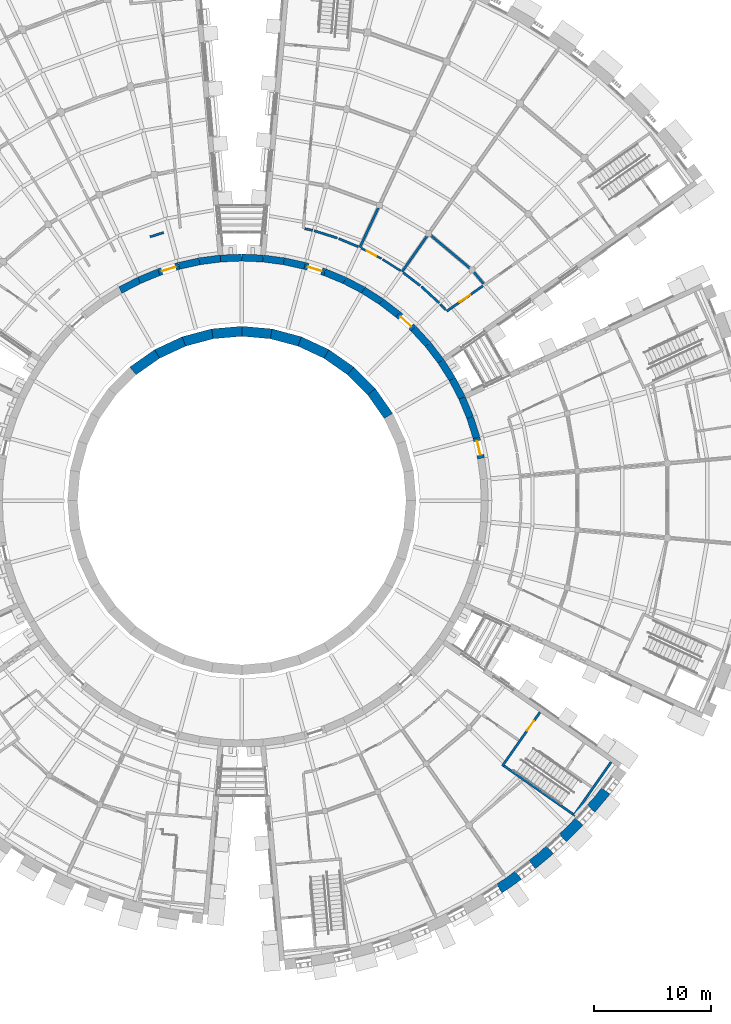
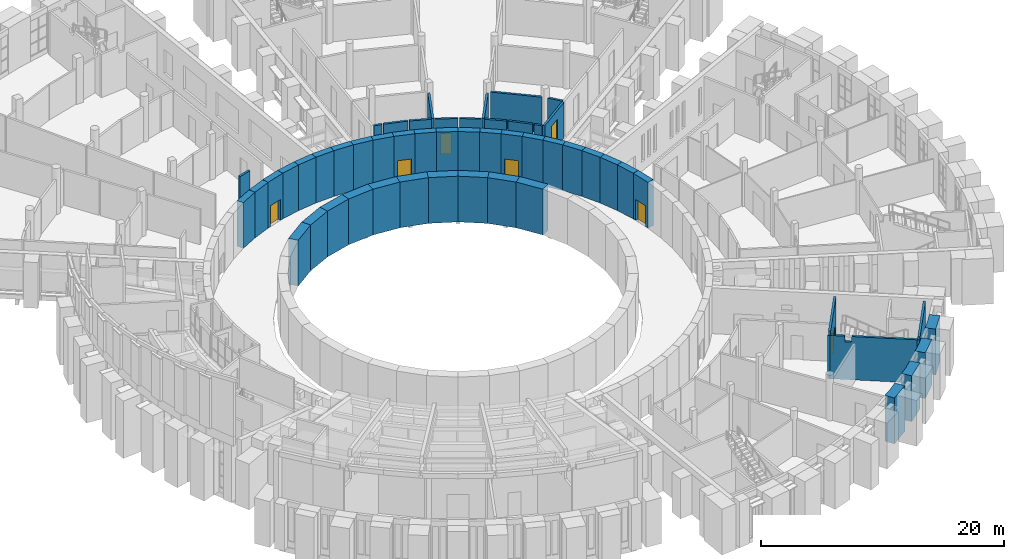
# One storey, part 43 of 66: 53 walls, 7 doors, 7 openings.
"""IFC4 building model written with IfcOpenShell, lengths in metres."""

from ifc_helpers import new_model, si_unit, direction, frame, frame_2d, origin, place, context, subcontext, project, spatial, polyline, rectangle, outline, extrude, material, layer, layer_set, type_object, element, fill, save


model = new_model("IFC4")

# Units and contexts
model_context = context("Model", 3, precision=1e-05, world=origin(), true_north=direction((0.0, 1.0)))
body_context = subcontext(model_context, "Body", "Model", "MODEL_VIEW")
ifc_project = project(units=[si_unit("LENGTHUNIT", "METRE"), si_unit("AREAUNIT", "SQUARE_METRE"), si_unit("VOLUMEUNIT", "CUBIC_METRE"), si_unit("PLANEANGLEUNIT", "RADIAN"), si_unit("MASSUNIT", "GRAM", prefix="KILO")], contexts=[model_context])

# Site, building, storey
site_placement = place(None, origin())
site = spatial("IfcSite", under=ifc_project, at=site_placement, CompositionType="ELEMENT")
building_placement = place(site_placement, origin())
building = spatial("IfcBuilding", under=site, at=building_placement, Name="Volute Hill Aquarium", CompositionType="ELEMENT")
storey_placement = place(building_placement, frame((0.0, 0.0, 4.60009765625)))
storey = spatial("IfcBuildingStorey", under=building, at=storey_placement, Name="L02", CompositionType="ELEMENT", Elevation=4.60009765625)

# Wall, opening, door
ifc_material_1 = material(Name="Concrete C30/37", Category="concrete")
ifc_layer_1 = layer(ifc_material_1, 0.199951171875)
ifc_layer_set_1 = layer_set([ifc_layer_1], Name="Core wall 200 REI 60")
wall_type_1 = type_object("IfcWallType", Name="Core wall 200 REI 60", PredefinedType="SHEAR", material=ifc_layer_set_1)
wall_1_placement = place(storey_placement, frame((25.40185546875, -18.03076171875, 0.0), z_axis=(0.0, 0.0, 1.0), x_axis=(-0.573599855614, -0.819135645446, 0.0)))
wall_1 = element("IfcWall", 1, at=wall_1_placement, inside=storey, type_object=wall_type_1, Name="wc/S3-B/L02/in", PredefinedType="SHEAR", context=body_context, shape_type="SweptSolid", body=[
    extrude(outline(polyline([(0.0, 0.0), (5.60009765625, 0.0), (5.60009765625, 4.349853515625), (5.574951171875, 4.349853515625), (5.52490234375, 3.77978515625), (5.02490234375, 3.77978515625), (4.97509765625, 4.349853515625), (0.0, 4.349853515625), (0.0, 0.0)])), frame((0.0, 0.10009765625, 0.0), z_axis=(0.0, -1.0, 0.0), x_axis=(1.0, 0.0, 0.0)), (0.0, 0.0, 1.0), 0.199951171875),
])
opening_1_placement = place(wall_1_placement, frame((0.89990234375, 0.0, 0.0)))
opening_1 = element("IfcOpeningElement", 2, at=opening_1_placement, cuts=wall_1, Name="Opening D3.02.BS", PredefinedType="OPENING", context=body_context, shape_type="SweptSolid", body=[
    extrude(rectangle(XDim=1.0, YDim=2.10009765625, at=frame_2d((0.5, 1.050048828125))), frame((0.0, 0.10986328125, 0.0), z_axis=(0.0, -1.0, 0.0), x_axis=(1.0, 0.0, 0.0)), (0.0, 0.0, 1.0), 0.219970703125),
])
ifc_material_2 = material(Name="Timber, fire-rated", Category="wood")
door_type_1 = type_object("IfcDoorType", Name="Door 1000 x 2100 single EI1 30", OperationType="SINGLE_SWING_LEFT", PredefinedType="DOOR", material=ifc_material_2)
door_1_placement = place(opening_1_placement, origin())
door_1 = element("IfcDoor", 3, at=door_1_placement, inside=storey, type_object=door_type_1, Name="d/S3-B/L02/st", OperationType="SINGLE_SWING_RIGHT", OverallHeight=2.10009765625, OverallWidth=1.0, PredefinedType="DOOR", context=body_context, shape_type="SweptSolid", body=[
    extrude(rectangle(XDim=1.0, YDim=2.10009765625, at=frame_2d((0.5, 1.050048828125))), frame((0.0, 0.02490234375, 0.0), z_axis=(0.0, -1.0, 0.0), x_axis=(1.0, 0.0, 0.0)), (0.0, 0.0, 1.0), 0.050048828125),
])
fill(opening_1, door_1)

# Walls
wall_2_placement = place(storey_placement, frame((22.3291015625, -22.593505859375, 0.0), z_axis=(0.0, 0.0, 1.0), x_axis=(0.819161821637, -0.573562472597, 0.0)))
element("IfcWall", 4, at=wall_2_placement, inside=storey, type_object=wall_type_1, Name="wc/S3-B/L02/side", PredefinedType="SHEAR", context=body_context, shape_type="SweptSolid", body=[
    extrude(outline(polyline([(0.0, 0.0), (7.199951171875, 0.0), (7.199951171875, 4.349853515625), (1.794189453125, 4.349853515625), (1.744140625, 3.77978515625), (1.244140625, 3.77978515625), (1.194091796875, 4.349853515625), (0.0, 4.349853515625), (0.0, 0.0)])), frame((0.0, 0.10009765625, 0.0), z_axis=(0.0, -1.0, 0.0), x_axis=(1.0, 0.0, 0.0)), (0.0, 0.0, 1.0), 0.199951171875),
])
wall_3_placement = place(storey_placement, frame((31.463623046875, -22.275146484375, 0.0), z_axis=(0.0, 0.0, 1.0), x_axis=(-0.573550118428, -0.819170471667, 0.0)))
element("IfcWall", 5, at=wall_3_placement, inside=storey, type_object=wall_type_1, Name="wc/S3-B/L02/out", PredefinedType="SHEAR", context=body_context, shape_type="SweptSolid", body=[
    extrude(outline(polyline([(0.0, 0.0), (5.60009765625, 0.0), (5.60009765625, 4.349853515625), (5.550048828125, 3.829833984375), (5.24462890625, 3.829833984375), (5.194580078125, 4.349853515625), (0.0, 4.349853515625), (0.0, 0.0)])), frame((0.0, 0.10009765625, 0.0), z_axis=(0.0, -1.0, 0.0), x_axis=(1.0, 0.0, 0.0)), (0.0, 0.0, 1.0), 0.199951171875),
])

# Wall, opening, door
ifc_material_3 = material(Name="Gypsum board on steel studs", Category="steel")
ifc_layer_2 = layer(ifc_material_3, 0.175048828125)
ifc_layer_set_2 = layer_set([ifc_layer_2], Name="Corridor partition 175 EI 60")
wall_type_2 = type_object("IfcWallType", Name="Corridor partition 175 EI 60", PredefinedType="PARTITIONING", material=ifc_layer_set_2)
wall_4_placement = place(storey_placement, frame((10.173583984375, 21.510009765625, 0.0), z_axis=(0.0, 0.0, 1.0), x_axis=(0.887007216852, -0.461755560067, 0.0)))
wall_4 = element("IfcWall", 6, at=wall_4_placement, inside=storey, type_object=wall_type_2, Name="pw/S5/L02/026", PredefinedType="PARTITIONING", context=body_context, shape_type="SweptSolid", body=[
    extrude(rectangle(XDim=1.9462890625, YDim=0.175048828125, at=frame_2d((0.97314453125, 0.0))), origin(), (0.0, 0.0, 1.0), 3.58984375),
])
opening_2_placement = place(wall_4_placement, frame((0.523193359375, 0.0, 0.0)))
opening_2 = element("IfcOpeningElement", 7, at=opening_2_placement, cuts=wall_4, Name="Opening D5.02.01", PredefinedType="OPENING", context=body_context, shape_type="SweptSolid", body=[
    extrude(rectangle(XDim=0.89990234375, YDim=2.10009765625, at=frame_2d((0.449951171875, 1.050048828125))), frame((0.0, 0.097412109375, 0.0), z_axis=(0.0, -1.0, 0.0), x_axis=(1.0, 0.0, 0.0)), (0.0, 0.0, 1.0), 0.195068359375),
])
ifc_material_4 = material(Name="Timber, fire-rated", Category="wood")
door_type_2 = type_object("IfcDoorType", Name="Door 900 x 2100 wc single EI1 30", OperationType="SINGLE_SWING_LEFT", PredefinedType="DOOR", material=ifc_material_4)
door_2_placement = place(opening_2_placement, origin())
door_2 = element("IfcDoor", 8, at=door_2_placement, inside=storey, type_object=door_type_2, Name="d/S5/L02/01", OperationType="SINGLE_SWING_LEFT", OverallHeight=2.10009765625, OverallWidth=0.89990234375, PredefinedType="DOOR", context=body_context, shape_type="SweptSolid", body=[
    extrude(rectangle(XDim=0.89990234375, YDim=2.10009765625, at=frame_2d((0.449951171875, 1.050048828125))), frame((0.0, 0.02490234375, 0.0), z_axis=(0.0, -1.0, 0.0), x_axis=(1.0, 0.0, 0.0)), (0.0, 0.0, 1.0), 0.050048828125),
])
fill(opening_2, door_2)

# Wall
wall_5_placement = place(storey_placement, frame((11.9990234375, 20.54833984375, 0.0), z_axis=(0.0, 0.0, 1.0), x_axis=(0.843392045151, -0.537298667574, 0.0)))
element("IfcWall", 9, at=wall_5_placement, inside=storey, type_object=wall_type_2, Name="pw/S5/L02/028", PredefinedType="PARTITIONING", context=body_context, shape_type="SweptSolid", body=[
    extrude(rectangle(XDim=1.828857421875, YDim=0.175048828125, at=frame_2d((0.91455078125, 0.0))), origin(), (0.0, 0.0, 1.0), 3.58984375),
])

# Wall, opening, door
ifc_material_5 = material(Name="Concrete C35/45", Category="concrete")
ifc_layer_3 = layer(ifc_material_5, 0.60009765625)
ifc_layer_set_3 = layer_set([ifc_layer_3], Name="Drum wall C35/45 600")
wall_type_3 = type_object("IfcWallType", Name="Drum wall C35/45 600", PredefinedType="SHEAR", material=ifc_layer_set_3)
wall_6_placement = place(storey_placement, frame((20.385498046875, 3.594482421875, 0.0), z_axis=(0.0, 0.0, 1.0), x_axis=(-0.216429453554, 0.976298259567, 0.0)))
wall_6 = element("IfcWall", 10, at=wall_6_placement, inside=storey, type_object=wall_type_3, Name="sw/DR/L02/2", PredefinedType="SHEAR", context=body_context, shape_type="SweptSolid", body=[
    extrude(rectangle(XDim=1.805908203125, YDim=0.60009765625, at=frame_2d((0.90283203125, 0.0))), origin(), (0.0, 0.0, 1.0), 4.599853515625),
])
opening_3_placement = place(wall_6_placement, frame((0.302978515625, 0.0, 0.0)))
opening_3 = element("IfcOpeningElement", 11, at=opening_3_placement, cuts=wall_6, Name="Opening D4.02.R2", PredefinedType="OPENING", context=body_context, shape_type="SweptSolid", body=[
    extrude(rectangle(XDim=1.199951171875, YDim=2.10009765625, at=frame_2d((0.60009765625, 1.050048828125))), frame((0.0, 0.31005859375, 0.0), z_axis=(0.0, -1.0, 0.0), x_axis=(1.0, 0.0, 0.0)), (0.0, 0.0, 1.0), 0.6201171875),
])
ifc_material_6 = material(Name="Timber", Category="wood")
door_type_3 = type_object("IfcDoorType", Name="Door 1200 x 2100 drum double", OperationType="DOUBLE_DOOR_SINGLE_SWING", PredefinedType="DOOR", material=ifc_material_6)
door_3_placement = place(opening_3_placement, origin())
door_3 = element("IfcDoor", 12, at=door_3_placement, inside=storey, type_object=door_type_3, Name="d/S4/L02/dr2", OperationType="SINGLE_SWING_LEFT", OverallHeight=2.10009765625, OverallWidth=1.199951171875, PredefinedType="DOOR", context=body_context, shape_type="SweptSolid", body=[
    extrude(rectangle(XDim=1.199951171875, YDim=2.10009765625, at=frame_2d((0.60009765625, 1.050048828125))), frame((0.0, 0.02490234375, 0.0), z_axis=(0.0, -1.0, 0.0), x_axis=(1.0, 0.0, 0.0)), (0.0, 0.0, 1.0), 0.050048828125),
])
fill(opening_3, door_3)

# Walls
wall_7_placement = place(storey_placement, frame((19.99462890625, 5.357666015625, 0.0), z_axis=(0.0, 0.0, 1.0), x_axis=(-0.300691330354, 0.953721512733, 0.0)))
element("IfcWall", 13, at=wall_7_placement, inside=storey, type_object=wall_type_3, Name="sw/DR/L02/3", PredefinedType="SHEAR", context=body_context, shape_type="SweptSolid", body=[
    extrude(rectangle(XDim=1.8056640625, YDim=0.60009765625, at=frame_2d((0.90283203125, 0.0))), origin(), (0.0, 0.0, 1.0), 4.599853515625),
])
for number, where, z_axis, x_axis, name in (
    (14, (19.45166015625, 7.079833984375, 0.0), (0.0, 0.0, 1.0), (-0.382713954298, 0.923866889322, 0.0), "sw/DR/L02/4"),
    (15, (18.760498046875, 8.748291015625, 0.0), (0.0, 0.0, 1.0), (-0.461701764231, 0.887035219654, 0.0), "sw/DR/L02/5"),
    (16, (17.9267578125, 10.35009765625, 0.0), (0.0, 0.0, 1.0), (-0.537391510251, 0.843332890803, 0.0), "sw/DR/L02/6"),
):
    element("IfcWall", number, at=place(storey_placement, frame(where, z_axis=z_axis, x_axis=x_axis)), inside=storey, type_object=wall_type_3, Name=name, PredefinedType="SHEAR", context=body_context, shape_type="SweptSolid", body=[
        extrude(rectangle(XDim=1.805908203125, YDim=0.60009765625, at=frame_2d((0.90283203125, 0.0))), origin(), (0.0, 0.0, 1.0), 4.599853515625),
    ])
wall_8_placement = place(storey_placement, frame((16.956298828125, 11.873046875, 0.0), z_axis=(0.0, 0.0, 1.0), x_axis=(-0.608704004289, 0.793397400526, 0.0)))
element("IfcWall", 17, at=wall_8_placement, inside=storey, type_object=wall_type_3, Name="sw/DR/L02/7", PredefinedType="SHEAR", context=body_context, shape_type="SweptSolid", body=[
    extrude(rectangle(XDim=1.8056640625, YDim=0.60009765625, at=frame_2d((0.90283203125, 0.0))), origin(), (0.0, 0.0, 1.0), 4.599853515625),
])
wall_9_placement = place(storey_placement, frame((15.857177734375, 13.3056640625, 0.0), z_axis=(0.0, 0.0, 1.0), x_axis=(-0.675540954152, 0.737322466268, 0.0)))
element("IfcWall", 18, at=wall_9_placement, inside=storey, type_object=wall_type_3, Name="sw/DR/L02/8", PredefinedType="SHEAR", context=body_context, shape_type="SweptSolid", body=[
    extrude(rectangle(XDim=1.805908203125, YDim=0.60009765625, at=frame_2d((0.90283203125, 0.0))), origin(), (0.0, 0.0, 1.0), 4.599853515625),
])

# Wall, opening, door
wall_10_placement = place(storey_placement, frame((14.63720703125, 14.63720703125, 0.0), z_axis=(0.0, 0.0, 1.0), x_axis=(-0.737322466268, 0.675540954152, 0.0)))
wall_10 = element("IfcWall", 19, at=wall_10_placement, inside=storey, type_object=wall_type_3, Name="sw/DR/L02/9", PredefinedType="SHEAR", context=body_context, shape_type="SweptSolid", body=[
    extrude(rectangle(XDim=1.805908203125, YDim=0.60009765625, at=frame_2d((0.90283203125, 0.0))), origin(), (0.0, 0.0, 1.0), 4.599853515625),
])
opening_4_placement = place(wall_10_placement, frame((0.302978515625, 0.0, 0.0)))
opening_4 = element("IfcOpeningElement", 20, at=opening_4_placement, cuts=wall_10, Name="Opening D5.02.R1", PredefinedType="OPENING", context=body_context, shape_type="SweptSolid", body=[
    extrude(rectangle(XDim=1.199951171875, YDim=2.10009765625, at=frame_2d((0.60009765625, 1.050048828125))), frame((0.0, 0.31005859375, 0.0), z_axis=(0.0, -1.0, 0.0), x_axis=(1.0, 0.0, 0.0)), (0.0, 0.0, 1.0), 0.6201171875),
])
door_4_placement = place(opening_4_placement, origin())
door_4 = element("IfcDoor", 21, at=door_4_placement, inside=storey, type_object=door_type_3, Name="d/S5/L02/dr1", OperationType="SINGLE_SWING_LEFT", OverallHeight=2.10009765625, OverallWidth=1.199951171875, PredefinedType="DOOR", context=body_context, shape_type="SweptSolid", body=[
    extrude(rectangle(XDim=1.199951171875, YDim=2.10009765625, at=frame_2d((0.60009765625, 1.050048828125))), frame((0.0, 0.02490234375, 0.0), z_axis=(0.0, -1.0, 0.0), x_axis=(1.0, 0.0, 0.0)), (0.0, 0.0, 1.0), 0.050048828125),
])
fill(opening_4, door_4)

# Walls
wall_11_placement = place(storey_placement, frame((13.3056640625, 15.857177734375, 0.0), z_axis=(0.0, 0.0, 1.0), x_axis=(-0.793397400526, 0.608704004289, 0.0)))
element("IfcWall", 22, at=wall_11_placement, inside=storey, type_object=wall_type_3, Name="sw/DR/L02/10", PredefinedType="SHEAR", context=body_context, shape_type="SweptSolid", body=[
    extrude(rectangle(XDim=1.8056640625, YDim=0.60009765625, at=frame_2d((0.90283203125, 0.0))), origin(), (0.0, 0.0, 1.0), 4.599853515625),
])
for number, where, z_axis, x_axis, name in (
    (23, (11.873046875, 16.956298828125, 0.0), (0.0, 0.0, 1.0), (-0.843332890803, 0.537391510251, 0.0), "sw/DR/L02/11"),
    (24, (10.35009765625, 17.9267578125, 0.0), (0.0, 0.0, 1.0), (-0.887035219654, 0.461701764231, 0.0), "sw/DR/L02/12"),
    (25, (8.748291015625, 18.760498046875, 0.0), (0.0, 0.0, 1.0), (-0.923866889322, 0.382713954298, 0.0), "sw/DR/L02/13"),
):
    element("IfcWall", number, at=place(storey_placement, frame(where, z_axis=z_axis, x_axis=x_axis)), inside=storey, type_object=wall_type_3, Name=name, PredefinedType="SHEAR", context=body_context, shape_type="SweptSolid", body=[
        extrude(rectangle(XDim=1.805908203125, YDim=0.60009765625, at=frame_2d((0.90283203125, 0.0))), origin(), (0.0, 0.0, 1.0), 4.599853515625),
    ])

# Wall, opening, door
wall_12_placement = place(storey_placement, frame((7.079833984375, 19.45166015625, 0.0), z_axis=(0.0, 0.0, 1.0), x_axis=(-0.953721512733, 0.300691330354, 0.0)))
wall_12 = element("IfcWall", 26, at=wall_12_placement, inside=storey, type_object=wall_type_3, Name="sw/DR/L02/14", PredefinedType="SHEAR", context=body_context, shape_type="SweptSolid", body=[
    extrude(rectangle(XDim=1.8056640625, YDim=0.60009765625, at=frame_2d((0.90283203125, 0.0))), origin(), (0.0, 0.0, 1.0), 4.599853515625),
])
opening_5_placement = place(wall_12_placement, frame((0.302978515625, 0.0, 0.0)))
opening_5 = element("IfcOpeningElement", 27, at=opening_5_placement, cuts=wall_12, Name="Opening D5.02.R2", PredefinedType="OPENING", context=body_context, shape_type="SweptSolid", body=[
    extrude(rectangle(XDim=1.199951171875, YDim=2.10009765625, at=frame_2d((0.60009765625, 1.050048828125))), frame((0.0, 0.31005859375, 0.0), z_axis=(0.0, -1.0, 0.0), x_axis=(1.0, 0.0, 0.0)), (0.0, 0.0, 1.0), 0.6201171875),
])
door_5_placement = place(opening_5_placement, origin())
door_5 = element("IfcDoor", 28, at=door_5_placement, inside=storey, type_object=door_type_3, Name="d/S5/L02/dr2", OperationType="SINGLE_SWING_LEFT", OverallHeight=2.10009765625, OverallWidth=1.199951171875, PredefinedType="DOOR", context=body_context, shape_type="SweptSolid", body=[
    extrude(rectangle(XDim=1.199951171875, YDim=2.10009765625, at=frame_2d((0.60009765625, 1.050048828125))), frame((0.0, 0.02490234375, 0.0), z_axis=(0.0, -1.0, 0.0), x_axis=(1.0, 0.0, 0.0)), (0.0, 0.0, 1.0), 0.050048828125),
])
fill(opening_5, door_5)

# Walls
wall_13_placement = place(storey_placement, frame((5.357666015625, 19.99462890625, 0.0), z_axis=(0.0, 0.0, 1.0), x_axis=(-0.976298259567, 0.216429453554, 0.0)))
element("IfcWall", 29, at=wall_13_placement, inside=storey, type_object=wall_type_3, Name="sw/DR/L02/15", PredefinedType="SHEAR", context=body_context, shape_type="SweptSolid", body=[
    extrude(rectangle(XDim=1.805908203125, YDim=0.60009765625, at=frame_2d((0.90283203125, 0.0))), origin(), (0.0, 0.0, 1.0), 4.599853515625),
])
wall_14_placement = place(storey_placement, frame((3.594482421875, 20.385498046875, 0.0), z_axis=(0.0, 0.0, 1.0), x_axis=(-0.991451994433, 0.130471999813, 0.0)))
element("IfcWall", 30, at=wall_14_placement, inside=storey, type_object=wall_type_3, Name="sw/DR/L02/16", PredefinedType="SHEAR", context=body_context, shape_type="SweptSolid", body=[
    extrude(rectangle(XDim=1.8056640625, YDim=0.60009765625, at=frame_2d((0.90283203125, 0.0))), origin(), (0.0, 0.0, 1.0), 4.599853515625),
])
for number, where, z_axis, x_axis, name in (
    (31, (1.80419921875, 20.62109375, 0.0), (0.0, 0.0, 1.0), (-0.999046184291, 0.043666024022, 0.0), "sw/DR/L02/17"),
    (32, (0.0, 20.699951171875, 0.0), (0.0, 0.0, 1.0), (-0.999046184291, -0.043666024022, 0.0), "sw/DR/L02/18"),
):
    element("IfcWall", number, at=place(storey_placement, frame(where, z_axis=z_axis, x_axis=x_axis)), inside=storey, type_object=wall_type_3, Name=name, PredefinedType="SHEAR", context=body_context, shape_type="SweptSolid", body=[
        extrude(rectangle(XDim=1.805908203125, YDim=0.60009765625, at=frame_2d((0.90283203125, 0.0))), origin(), (0.0, 0.0, 1.0), 4.599853515625),
    ])
wall_15_placement = place(storey_placement, frame((-1.80419921875, 20.62109375, 0.0), z_axis=(0.0, 0.0, 1.0), x_axis=(-0.991451994433, -0.130471999813, 0.0)))
element("IfcWall", 33, at=wall_15_placement, inside=storey, type_object=wall_type_3, Name="sw/DR/L02/19", PredefinedType="SHEAR", context=body_context, shape_type="SweptSolid", body=[
    extrude(rectangle(XDim=1.8056640625, YDim=0.60009765625, at=frame_2d((0.90283203125, 0.0))), origin(), (0.0, 0.0, 1.0), 4.599853515625),
])
wall_16_placement = place(storey_placement, frame((-3.594482421875, 20.385498046875, 0.0), z_axis=(0.0, 0.0, 1.0), x_axis=(-0.976298259567, -0.216429453554, 0.0)))
element("IfcWall", 34, at=wall_16_placement, inside=storey, type_object=wall_type_3, Name="sw/DR/L02/20", PredefinedType="SHEAR", context=body_context, shape_type="SweptSolid", body=[
    extrude(rectangle(XDim=1.805908203125, YDim=0.60009765625, at=frame_2d((0.90283203125, 0.0))), origin(), (0.0, 0.0, 1.0), 4.599853515625),
])

# Wall, opening, door
wall_17_placement = place(storey_placement, frame((-5.357666015625, 19.99462890625, 0.0), z_axis=(0.0, 0.0, 1.0), x_axis=(-0.953721512733, -0.300691330354, 0.0)))
wall_17 = element("IfcWall", 35, at=wall_17_placement, inside=storey, type_object=wall_type_3, Name="sw/DR/L02/21", PredefinedType="SHEAR", context=body_context, shape_type="SweptSolid", body=[
    extrude(rectangle(XDim=1.8056640625, YDim=0.60009765625, at=frame_2d((0.90283203125, 0.0))), origin(), (0.0, 0.0, 1.0), 4.599853515625),
])
opening_6_placement = place(wall_17_placement, frame((0.302978515625, 0.0, 0.0)))
opening_6 = element("IfcOpeningElement", 36, at=opening_6_placement, cuts=wall_17, Name="Opening D6.02.R1", PredefinedType="OPENING", context=body_context, shape_type="SweptSolid", body=[
    extrude(rectangle(XDim=1.199951171875, YDim=2.10009765625, at=frame_2d((0.60009765625, 1.050048828125))), frame((0.0, 0.31005859375, 0.0), z_axis=(0.0, -1.0, 0.0), x_axis=(1.0, 0.0, 0.0)), (0.0, 0.0, 1.0), 0.6201171875),
])
door_6_placement = place(opening_6_placement, origin())
door_6 = element("IfcDoor", 37, at=door_6_placement, inside=storey, type_object=door_type_3, Name="d/S6/L02/dr1", OperationType="SINGLE_SWING_LEFT", OverallHeight=2.10009765625, OverallWidth=1.199951171875, PredefinedType="DOOR", context=body_context, shape_type="SweptSolid", body=[
    extrude(rectangle(XDim=1.199951171875, YDim=2.10009765625, at=frame_2d((0.60009765625, 1.050048828125))), frame((0.0, 0.02490234375, 0.0), z_axis=(0.0, -1.0, 0.0), x_axis=(1.0, 0.0, 0.0)), (0.0, 0.0, 1.0), 0.050048828125),
])
fill(opening_6, door_6)

# Walls
for number, where, z_axis, x_axis, name in (
    (38, (-7.079833984375, 19.45166015625, 0.0), (0.0, 0.0, 1.0), (-0.923866889322, -0.382713954298, 0.0), "sw/DR/L02/22"),
    (39, (-8.748291015625, 18.760498046875, 0.0), (0.0, 0.0, 1.0), (-0.887035219654, -0.461701764231, 0.0), "sw/DR/L02/23"),
):
    element("IfcWall", number, at=place(storey_placement, frame(where, z_axis=z_axis, x_axis=x_axis)), inside=storey, type_object=wall_type_3, Name=name, PredefinedType="SHEAR", context=body_context, shape_type="SweptSolid", body=[
        extrude(rectangle(XDim=1.805908203125, YDim=0.60009765625, at=frame_2d((0.90283203125, 0.0))), origin(), (0.0, 0.0, 1.0), 4.599853515625),
    ])
ifc_material_7 = material(Name="Masonry blockwork", Category="masonry")
ifc_layer_4 = layer(ifc_material_7, 0.199951171875)
ifc_layer_set_4 = layer_set([ifc_layer_4], Name="Fire partition 200 EI 60")
wall_type_4 = type_object("IfcWallType", Name="Fire partition 200 EI 60", PredefinedType="PARTITIONING", material=ifc_layer_set_4)
wall_18_placement = place(storey_placement, frame((16.107666015625, 22.58740234375, 0.0), z_axis=(0.0, 0.0, 1.0), x_axis=(0.766073228099, -0.642753303523, 0.0)))
element("IfcWall", 40, at=wall_18_placement, inside=storey, type_object=wall_type_4, Name="pw/S5/L02/015", PredefinedType="PARTITIONING", context=body_context, shape_type="SweptSolid", body=[
    extrude(rectangle(XDim=4.359375, YDim=0.199951171875, at=frame_2d((2.1796875, 0.0))), origin(), (0.0, 0.0, 1.0), 3.58984375),
])

# Wall, opening, door
wall_19_placement = place(storey_placement, frame((17.464599609375, 16.135498046875, 0.0), z_axis=(0.0, 0.0, 1.0), x_axis=(0.819186301259, 0.573527509218, 0.0)))
wall_19 = element("IfcWall", 41, at=wall_19_placement, inside=storey, type_object=wall_type_4, Name="pw/S5/L02/017", PredefinedType="PARTITIONING", context=body_context, shape_type="SweptSolid", body=[
    extrude(rectangle(XDim=3.771484375, YDim=0.199951171875, at=frame_2d((1.8857421875, 0.0))), origin(), (0.0, 0.0, 1.0), 3.58984375),
])
opening_7_placement = place(wall_19_placement, frame((1.335693359375, 0.0, 0.0)))
opening_7 = element("IfcOpeningElement", 42, at=opening_7_placement, cuts=wall_19, Name="Opening D5.02.02", PredefinedType="OPENING", context=body_context, shape_type="SweptSolid", body=[
    extrude(rectangle(XDim=1.10009765625, YDim=2.699951171875, at=frame_2d((0.550048828125, 1.35009765625))), frame((0.0, 0.10986328125, 0.0), z_axis=(0.0, -1.0, 0.0), x_axis=(1.0, 0.0, 0.0)), (0.0, 0.0, 1.0), 0.219970703125),
])
ifc_material_8 = material(Name="Steel, fire-rated", Category="steel")
door_type_4 = type_object("IfcDoorType", Name="Door 1100 x 2700 animal care EI1 30", OperationType="SINGLE_SWING_LEFT", PredefinedType="DOOR", material=ifc_material_8)
door_7_placement = place(opening_7_placement, origin())
door_7 = element("IfcDoor", 43, at=door_7_placement, inside=storey, type_object=door_type_4, Name="d/S5/L02/02", OperationType="SINGLE_SWING_RIGHT", OverallHeight=2.699951171875, OverallWidth=1.10009765625, PredefinedType="DOOR", context=body_context, shape_type="SweptSolid", body=[
    extrude(rectangle(XDim=1.10009765625, YDim=2.699951171875, at=frame_2d((0.550048828125, 1.35009765625))), frame((0.0, 0.02490234375, 0.0), z_axis=(0.0, -1.0, 0.0), x_axis=(1.0, 0.0, 0.0)), (0.0, 0.0, 1.0), 0.050048828125),
])
fill(opening_7, door_7)

# Walls
for number, where, z_axis, x_axis, name in (
    (44, (11.631591796875, 24.944091796875, 0.0), (0.0, 0.0, 1.0), (-0.422598231928, -0.906317126822, 0.0), "pw/S5/L02/019"),
    (45, (13.651123046875, 19.495849609375, 0.0), (0.0, 0.0, 1.0), (0.573563571015, 0.819161052544, 0.0), "pw/S5/L02/020"),
):
    element("IfcWall", number, at=place(storey_placement, frame(where, z_axis=z_axis, x_axis=x_axis)), inside=storey, type_object=wall_type_4, Name=name, PredefinedType="PARTITIONING", context=body_context, shape_type="SweptSolid", body=[
        extrude(rectangle(XDim=3.722900390625, YDim=0.199951171875, at=frame_2d((1.861328125, 0.0))), origin(), (0.0, 0.0, 1.0), 3.58984375),
    ])
for number, where, z_axis, x_axis, name in (
    (46, (15.29833984375, 18.23193359375, 0.0), (0.0, 0.0, 1.0), (0.737241988031, -0.675628782013, 0.0), "pw/S5/L02/025"),
    (47, (6.159912109375, 22.989013671875, 0.0), (0.0, 0.0, 1.0), (0.953730050022, -0.300664250759, 0.0), "pw/S5/L02/027"),
):
    element("IfcWall", number, at=place(storey_placement, frame(where, z_axis=z_axis, x_axis=x_axis)), inside=storey, type_object=wall_type_4, Name=name, PredefinedType="PARTITIONING", context=body_context, shape_type="SweptSolid", body=[
        extrude(rectangle(XDim=2.076416015625, YDim=0.199951171875, at=frame_2d((1.0380859375, 0.0))), origin(), (0.0, 0.0, 1.0), 3.58984375),
    ])
wall_20_placement = place(storey_placement, frame((8.26025390625, 22.31494140625, 0.0), z_axis=(0.0, 0.0, 1.0), x_axis=(0.923874295851, -0.382696074536, 0.0)))
element("IfcWall", 48, at=wall_20_placement, inside=storey, type_object=wall_type_4, Name="pw/S5/L02/029", PredefinedType="PARTITIONING", context=body_context, shape_type="SweptSolid", body=[
    extrude(rectangle(XDim=1.816162109375, YDim=0.199951171875, at=frame_2d((0.908203125, 0.0))), origin(), (0.0, 0.0, 1.0), 3.58984375),
])
wall_21_placement = place(storey_placement, frame((13.754150390625, 19.416748046875, 0.0), z_axis=(0.0, 0.0, 1.0), x_axis=(0.793387821047, -0.608716490178, 0.0)))
element("IfcWall", 49, at=wall_21_placement, inside=storey, type_object=wall_type_4, Name="pw/S5/L02/030", PredefinedType="PARTITIONING", context=body_context, shape_type="SweptSolid", body=[
    extrude(rectangle(XDim=1.81640625, YDim=0.199951171875, at=frame_2d((0.908203125, 0.0))), origin(), (0.0, 0.0, 1.0), 3.58984375),
])
wall_22_placement = place(storey_placement, frame((19.785400390625, 19.447265625, 0.0), z_axis=(0.0, 0.0, 1.0), x_axis=(0.642740994917, -0.766083555138, 0.0)))
element("IfcWall", 50, at=wall_22_placement, inside=storey, type_object=wall_type_4, Name="pw/S5/L02/032", PredefinedType="PARTITIONING", context=body_context, shape_type="SweptSolid", body=[
    extrude(rectangle(XDim=1.2568359375, YDim=0.199951171875, at=frame_2d((0.62841796875, 0.0))), origin(), (0.0, 0.0, 1.0), 3.58984375),
])
for number, where, z_axis, x_axis, name in (
    (51, (5.3681640625, 23.16455078125, 0.0), (0.0, 0.0, 1.0), (0.976271345866, -0.216550823688, 0.0), "pw/S5/L02/035"),
    (52, (16.9169921875, 16.7333984375, 0.0), (0.0, 0.0, 1.0), (0.675416123111, -0.737436818068, 0.0), "pw/S5/L02/036"),
):
    element("IfcWall", number, at=place(storey_placement, frame(where, z_axis=z_axis, x_axis=x_axis)), inside=storey, type_object=wall_type_4, Name=name, PredefinedType="PARTITIONING", context=body_context, shape_type="SweptSolid", body=[
        extrude(rectangle(XDim=0.680908203125, YDim=0.199951171875, at=frame_2d((0.34033203125, 0.0))), origin(), (0.0, 0.0, 1.0), 3.58984375),
    ])
wall_23_placement = place(storey_placement, frame((-7.819580078125, 22.4658203125, 0.0), z_axis=(0.0, 0.0, 1.0), x_axis=(0.953765647502, 0.300551309505, 0.0)))
element("IfcWall", 53, at=wall_23_placement, inside=storey, type_object=wall_type_4, Name="pw/S6/L02/048", PredefinedType="PARTITIONING", context=body_context, shape_type="SweptSolid", body=[
    extrude(rectangle(XDim=1.208740234375, YDim=0.199951171875, at=frame_2d((0.6044921875, 0.0))), origin(), (0.0, 0.0, 1.0), 3.510009765625),
])
ifc_material_9 = material(Name="Precast concrete C40/50", Category="concrete")
ifc_layer_5 = layer(ifc_material_9, 0.89990234375)
ifc_layer_set_5 = layer_set([ifc_layer_5], Name="Outer pier precast concrete C40/50 900")
wall_type_5 = type_object("IfcWallType", Name="Outer pier precast concrete C40/50 900", PredefinedType="NOTDEFINED", material=ifc_layer_set_5)
wall_24_placement = place(storey_placement, origin())
element("IfcWall", 54, at=wall_24_placement, inside=storey, type_object=wall_type_5, Name="Outer pier OWP S3 L02 7", PredefinedType="NOTDEFINED", context=body_context, shape_type="SweptSolid", body=[
    extrude(outline(polyline([(21.69677734375, -32.671142578125), (22.18017578125, -33.43017578125), (23.828125, -32.2763671875), (23.280029296875, -31.5625), (22.5126953125, -32.1513671875), (21.69677734375, -32.671142578125)])), origin(), (0.0, 0.0, 1.0), 4.599853515625),
])
wall_25_placement = place(storey_placement, origin())
element("IfcWall", 55, at=wall_25_placement, inside=storey, type_object=wall_type_5, Name="Outer pier OWP S3 L02 8", PredefinedType="NOTDEFINED", context=body_context, shape_type="SweptSolid", body=[
    extrude(outline(polyline([(24.461669921875, -30.65576171875), (25.009521484375, -31.369873046875), (26.550537109375, -30.076904296875), (25.9423828125, -29.413330078125), (25.22900390625, -30.06689453125), (24.461669921875, -30.65576171875)])), origin(), (0.0, 0.0, 1.0), 4.599853515625),
])
wall_26_placement = place(storey_placement, origin())
element("IfcWall", 56, at=wall_26_placement, inside=storey, type_object=wall_type_5, Name="Outer pier OWP S3 L02 9", PredefinedType="NOTDEFINED", context=body_context, shape_type="SweptSolid", body=[
    extrude(outline(polyline([(27.040283203125, -28.4072265625), (27.6484375, -29.07080078125), (29.07080078125, -27.6484375), (28.4072265625, -27.040283203125), (27.753662109375, -27.753662109375), (27.040283203125, -28.4072265625)])), origin(), (0.0, 0.0, 1.0), 4.599853515625),
])
wall_27_placement = place(storey_placement, origin())
element("IfcWall", 57, at=wall_27_placement, inside=storey, type_object=wall_type_5, Name="Outer pier OWP S3 L02 10", PredefinedType="NOTDEFINED", context=body_context, shape_type="SweptSolid", body=[
    extrude(outline(polyline([(29.413330078125, -25.9423828125), (30.076904296875, -26.550537109375), (31.369873046875, -25.009521484375), (30.65576171875, -24.461669921875), (30.06689453125, -25.22900390625), (29.413330078125, -25.9423828125)])), origin(), (0.0, 0.0, 1.0), 4.599853515625),
])
ifc_material_10 = material(Name="Concrete C40/50", Category="concrete")
ifc_layer_6 = layer(ifc_material_10, 0.85009765625)
ifc_layer_set_6 = layer_set([ifc_layer_6], Name="Tank wall C40/50 850")
wall_type_6 = type_object("IfcWallType", Name="Tank wall C40/50 850", PredefinedType="SHEAR", material=ifc_layer_set_6)
wall_28_placement = place(storey_placement, origin())
element("IfcWall", 58, at=wall_28_placement, inside=storey, type_object=wall_type_6, Name="sw/TK/L02/3", PredefinedType="SHEAR", context=body_context, shape_type="SweptSolid", body=[
    extrude(outline(polyline([(12.12451171875, 7.0), (12.860595703125, 7.425048828125), (11.375732421875, 9.54541015625), (10.724609375, 8.9990234375), (12.12451171875, 7.0)])), origin(), (0.0, 0.0, 1.0), 4.599853515625),
])
wall_29_placement = place(storey_placement, origin())
element("IfcWall", 59, at=wall_29_placement, inside=storey, type_object=wall_type_6, Name="sw/TK/L02/4", PredefinedType="SHEAR", context=body_context, shape_type="SweptSolid", body=[
    extrude(outline(polyline([(10.724609375, 8.9990234375), (11.375732421875, 9.54541015625), (9.54541015625, 11.375732421875), (8.9990234375, 10.724609375), (10.724609375, 8.9990234375)])), origin(), (0.0, 0.0, 1.0), 4.599853515625),
])
wall_30_placement = place(storey_placement, origin())
element("IfcWall", 60, at=wall_30_placement, inside=storey, type_object=wall_type_6, Name="sw/TK/L02/5", PredefinedType="SHEAR", context=body_context, shape_type="SweptSolid", body=[
    extrude(outline(polyline([(8.9990234375, 10.724609375), (9.54541015625, 11.375732421875), (7.425048828125, 12.860595703125), (7.0, 12.12451171875), (8.9990234375, 10.724609375)])), origin(), (0.0, 0.0, 1.0), 4.599853515625),
])
wall_31_placement = place(storey_placement, origin())
element("IfcWall", 61, at=wall_31_placement, inside=storey, type_object=wall_type_6, Name="sw/TK/L02/6", PredefinedType="SHEAR", context=body_context, shape_type="SweptSolid", body=[
    extrude(outline(polyline([(7.0, 12.12451171875), (7.425048828125, 12.860595703125), (5.0791015625, 13.954345703125), (4.788330078125, 13.15576171875), (7.0, 12.12451171875)])), origin(), (0.0, 0.0, 1.0), 4.599853515625),
])
wall_32_placement = place(storey_placement, origin())
element("IfcWall", 62, at=wall_32_placement, inside=storey, type_object=wall_type_6, Name="sw/TK/L02/7", PredefinedType="SHEAR", context=body_context, shape_type="SweptSolid", body=[
    extrude(outline(polyline([(4.788330078125, 13.15576171875), (5.0791015625, 13.954345703125), (2.57861328125, 14.62451171875), (2.43115234375, 13.787353515625), (4.788330078125, 13.15576171875)])), origin(), (0.0, 0.0, 1.0), 4.599853515625),
])
wall_33_placement = place(storey_placement, origin())
element("IfcWall", 63, at=wall_33_placement, inside=storey, type_object=wall_type_6, Name="sw/TK/L02/8", PredefinedType="SHEAR", context=body_context, shape_type="SweptSolid", body=[
    extrude(outline(polyline([(2.43115234375, 13.787353515625), (2.57861328125, 14.62451171875), (0.0, 14.85009765625), (0.0, 14.0), (2.43115234375, 13.787353515625)])), origin(), (0.0, 0.0, 1.0), 4.599853515625),
])
wall_34_placement = place(storey_placement, origin())
element("IfcWall", 64, at=wall_34_placement, inside=storey, type_object=wall_type_6, Name="sw/TK/L02/9", PredefinedType="SHEAR", context=body_context, shape_type="SweptSolid", body=[
    extrude(outline(polyline([(0.0, 14.0), (0.0, 14.85009765625), (-2.57861328125, 14.62451171875), (-2.43115234375, 13.787353515625), (0.0, 14.0)])), origin(), (0.0, 0.0, 1.0), 4.599853515625),
])
wall_35_placement = place(storey_placement, origin())
element("IfcWall", 65, at=wall_35_placement, inside=storey, type_object=wall_type_6, Name="sw/TK/L02/10", PredefinedType="SHEAR", context=body_context, shape_type="SweptSolid", body=[
    extrude(outline(polyline([(-2.43115234375, 13.787353515625), (-2.57861328125, 14.62451171875), (-5.0791015625, 13.954345703125), (-4.788330078125, 13.15576171875), (-2.43115234375, 13.787353515625)])), origin(), (0.0, 0.0, 1.0), 4.599853515625),
])
wall_36_placement = place(storey_placement, origin())
element("IfcWall", 66, at=wall_36_placement, inside=storey, type_object=wall_type_6, Name="sw/TK/L02/11", PredefinedType="SHEAR", context=body_context, shape_type="SweptSolid", body=[
    extrude(outline(polyline([(-4.788330078125, 13.15576171875), (-5.0791015625, 13.954345703125), (-7.425048828125, 12.860595703125), (-7.0, 12.12451171875), (-4.788330078125, 13.15576171875)])), origin(), (0.0, 0.0, 1.0), 4.599853515625),
])
wall_37_placement = place(storey_placement, origin())
element("IfcWall", 67, at=wall_37_placement, inside=storey, type_object=wall_type_6, Name="sw/TK/L02/12", PredefinedType="SHEAR", context=body_context, shape_type="SweptSolid", body=[
    extrude(outline(polyline([(-7.0, 12.12451171875), (-7.425048828125, 12.860595703125), (-9.54541015625, 11.375732421875), (-8.9990234375, 10.724609375), (-7.0, 12.12451171875)])), origin(), (0.0, 0.0, 1.0), 4.599853515625),
])

save(model, "model.ifc")
